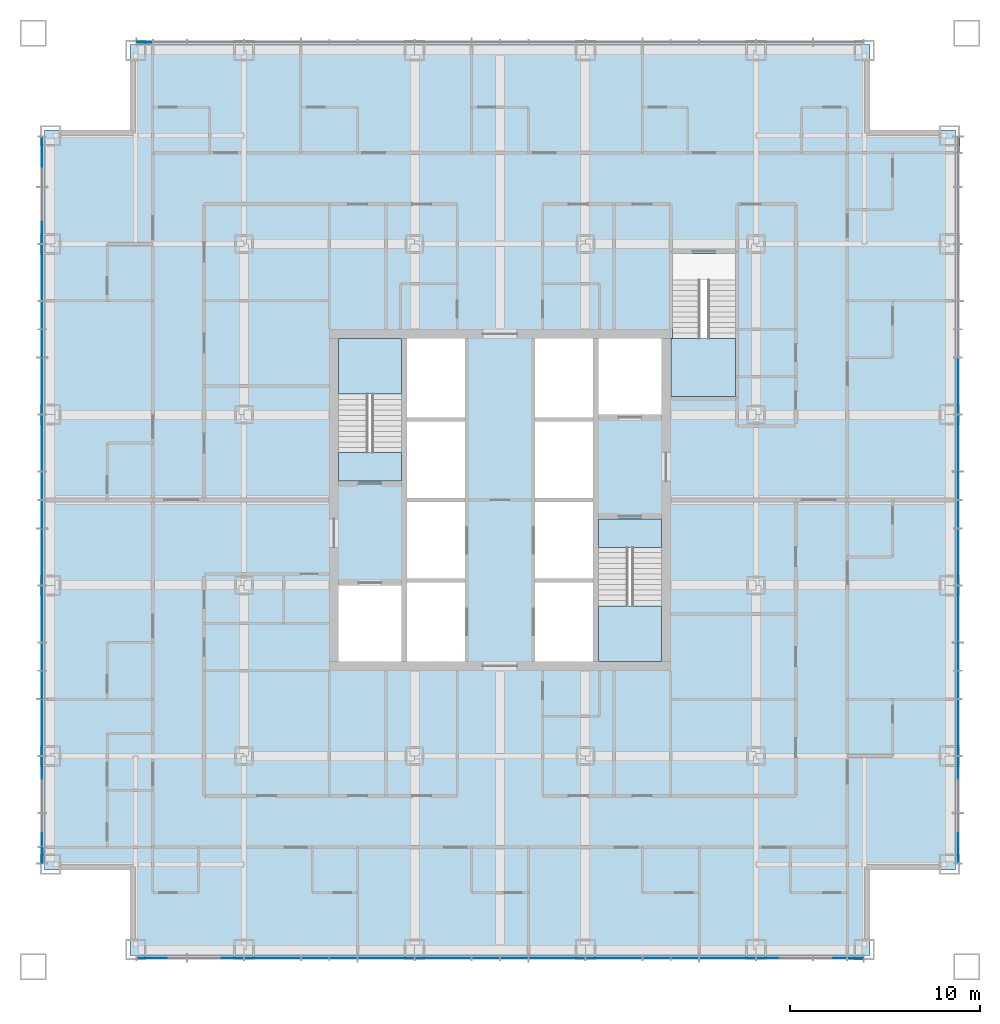
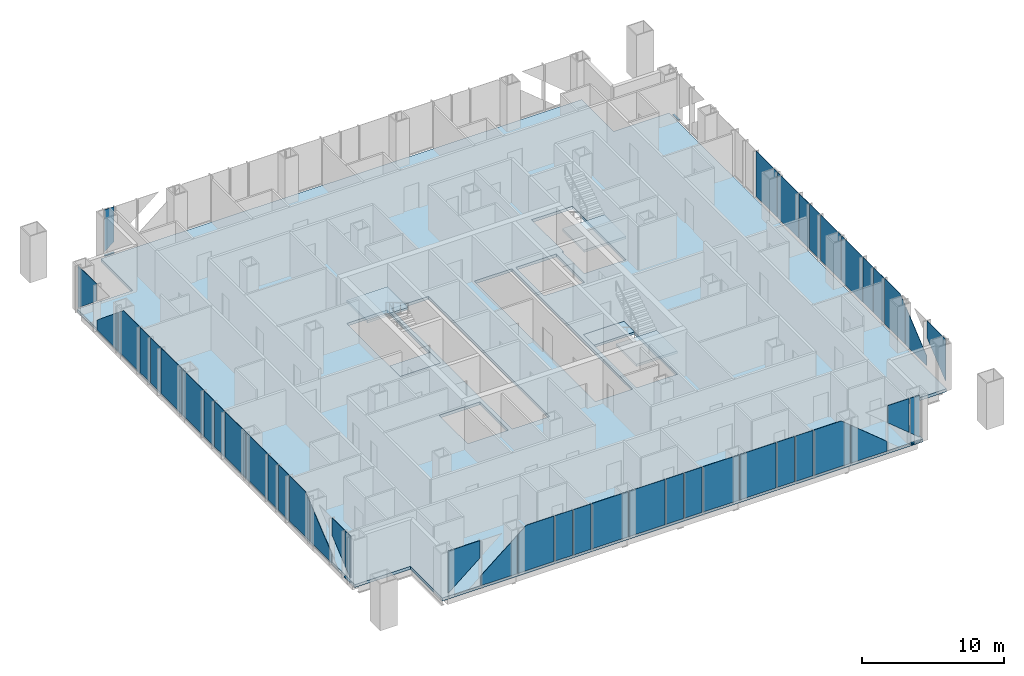
# One storey, part 7 of 13: 46 plates, 6 slabs, 4 members, 7 elements without a shape of their own.
"""IFC4 building model written with IfcOpenShell, lengths in metres."""

from ifc_helpers import new_model, si_unit, direction, frame, origin, origin_2d, place, context, subcontext, project, spatial, polyline, rectangle, outline, extrude, material, layer, layer_set, material_profile, profile_set, type_object, element, aggregate, save


model = new_model("IFC4")

# Units and contexts
model_context = context("Model", 3, precision=1e-05, world=origin(), true_north=direction((0.0, 1.0)))
body_context = subcontext(model_context, "Body", "Model", "MODEL_VIEW")
ifc_project = project(units=[si_unit("LENGTHUNIT", "METRE"), si_unit("AREAUNIT", "SQUARE_METRE"), si_unit("VOLUMEUNIT", "CUBIC_METRE"), si_unit("PLANEANGLEUNIT", "RADIAN"), si_unit("MASSUNIT", "GRAM", prefix="KILO")], contexts=[model_context])

# Site, building, storey
site_placement = place(None, origin())
site = spatial("IfcSite", under=ifc_project, at=site_placement, CompositionType="ELEMENT")
building_placement = place(site_placement, origin())
building = spatial("IfcBuilding", under=site, at=building_placement, Name="Malebo Sky Hospital", CompositionType="ELEMENT")
storey_placement = place(building_placement, frame((0.0, 0.0, 104.0)))
storey = spatial("IfcBuildingStorey", under=building, at=storey_placement, Name="L24", CompositionType="ELEMENT", Elevation=104.0)

# Curtain wall, member
ifc_material_1 = material(Name="Anodised aluminium, natural silver", Category="aluminium")
ifc_layer_1 = layer(ifc_material_1, 0.25)
ifc_layer_set_1 = layer_set([ifc_layer_1], Name="WARD CURTAIN WALL NORTH AND SOUTH")
curtain_wall_type_1 = type_object("IfcCurtainWallType", Name="WARD CURTAIN WALL NORTH AND SOUTH", PredefinedType="NOTDEFINED", material=ifc_layer_set_1)
curtain_wall_1_placement = place(storey_placement, origin())
curtain_wall_1 = element("IfcCurtainWall", 1, at=curtain_wall_1_placement, inside=storey, type_object=curtain_wall_type_1, Name="NS curtain wall N", PredefinedType="NOTDEFINED")
ifc_material_profile = material_profile(ifc_material_1, rectangle(XDim=0.14990234375, YDim=0.10009765625, at=origin_2d()), Name="ALUMINIUM TRANSOM 150x100")
ifc_profile_set = profile_set([ifc_material_profile], Name="Anodised aluminium, natural silver")
member_type = type_object("IfcMemberType", Name="ALUMINIUM TRANSOM 150x100", PredefinedType="USERDEFINED", material=ifc_profile_set)
member_1_placement = place(storey_placement, frame((40.875, 86.135009765625, 0.050048828125), z_axis=(1.0, 0.0, 0.0), x_axis=(0.0, 1.0, 0.0)))
member_1 = element("IfcMember", 2, at=member_1_placement, type_object=member_type, Name="Transom 1", ObjectType="TRANSOM", PredefinedType="USERDEFINED", context=body_context, shape_type="SweptSolid", body=[
    extrude(rectangle(XDim=0.14990234375, YDim=0.10009765625, at=origin_2d()), origin(), (0.0, 0.0, 1.0), 0.78759765625),
])

ifc_layer_2 = layer(ifc_material_1, 0.25)
ifc_layer_set_2 = layer_set([ifc_layer_2], Name="WARD CURTAIN WALL EAST AND WEST")
curtain_wall_type_2 = type_object("IfcCurtainWallType", Name="WARD CURTAIN WALL EAST AND WEST", PredefinedType="NOTDEFINED", material=ifc_layer_set_2)
curtain_wall_2_placement = place(storey_placement, origin())
curtain_wall_2 = element("IfcCurtainWall", 3, at=curtain_wall_2_placement, inside=storey, type_object=curtain_wall_type_2, Name="EW curtain wall W", PredefinedType="NOTDEFINED")
member_2_placement = place(storey_placement, frame((35.864990234375, 42.875, 0.050048828125), z_axis=(0.0, 1.0, 0.0), x_axis=(-1.0, 0.0, 0.0)))
member_2 = element("IfcMember", 4, at=member_2_placement, type_object=member_type, Name="Transom 1", ObjectType="TRANSOM", PredefinedType="USERDEFINED", context=body_context, shape_type="SweptSolid", body=[
    extrude(rectangle(XDim=0.14990234375, YDim=0.10009765625, at=origin_2d()), origin(), (0.0, 0.0, 1.0), 0.78759765625),
])

curtain_wall_3_placement = place(storey_placement, origin())
curtain_wall_3 = element("IfcCurtainWall", 5, at=curtain_wall_3_placement, inside=storey, type_object=curtain_wall_type_1, Name="NS curtain wall S", PredefinedType="NOTDEFINED")
member_3_placement = place(storey_placement, frame((79.125, 37.864990234375, 0.050048828125), z_axis=(-1.0, 0.0, 0.0), x_axis=(0.0, -1.0, 0.0)))
member_3 = element("IfcMember", 6, at=member_3_placement, type_object=member_type, Name="Transom 1", ObjectType="TRANSOM", PredefinedType="USERDEFINED", context=body_context, shape_type="SweptSolid", body=[
    extrude(rectangle(XDim=0.14990234375, YDim=0.10009765625, at=origin_2d()), origin(), (0.0, 0.0, 1.0), 0.78759765625),
])

curtain_wall_4_placement = place(storey_placement, origin())
curtain_wall_4 = element("IfcCurtainWall", 7, at=curtain_wall_4_placement, inside=storey, type_object=curtain_wall_type_2, Name="EW curtain wall E", PredefinedType="NOTDEFINED")
member_4_placement = place(storey_placement, frame((84.135009765625, 81.125, 0.050048828125), z_axis=(0.0, -1.0, 0.0), x_axis=(1.0, 0.0, 0.0)))
member_4 = element("IfcMember", 8, at=member_4_placement, type_object=member_type, Name="Transom 1", ObjectType="TRANSOM", PredefinedType="USERDEFINED", context=body_context, shape_type="SweptSolid", body=[
    extrude(rectangle(XDim=0.14990234375, YDim=0.10009765625, at=origin_2d()), origin(), (0.0, 0.0, 1.0), 0.78759765625),
])

# Slab
ifc_material_2 = material(Name="Concrete C40/50", Category="concrete")
ifc_layer_3 = layer(ifc_material_2, 0.25)
ifc_layer_set_3 = layer_set([ifc_layer_3], Name="COMPOSITE FLOOR SLAB 250")
slab_type_1 = type_object("IfcSlabType", Name="COMPOSITE FLOOR SLAB 250", PredefinedType="FLOOR", material=ifc_layer_set_3)
slab_1_placement = place(storey_placement, frame((0.0, 0.0, -0.25)))
element("IfcSlab", 9, at=slab_1_placement, inside=storey, type_object=slab_type_1, Name="Floor slab L24", PredefinedType="FLOOR", context=body_context, shape_type="SweptSolid", body=[
    extrude(outline(polyline([(40.5, 86.0), (40.5, 81.5), (36.0, 81.5), (36.0, 42.5), (40.5, 42.5), (40.5, 38.0), (79.5, 38.0), (79.5, 42.5), (84.0, 42.5), (84.0, 81.5), (79.5, 81.5), (79.5, 86.0), (40.5, 86.0)]), holes=[polyline([(55.10009765625, 70.5), (58.14990234375, 70.5), (58.14990234375, 53.5), (55.10009765625, 53.5), (55.10009765625, 70.5)]), polyline([(64.89990234375, 70.5), (64.89990234375, 53.5), (61.85009765625, 53.5), (61.85009765625, 70.5), (64.89990234375, 70.5)]), polyline([(54.800048828125, 63.0), (51.5, 63.0), (51.5, 70.5), (54.800048828125, 70.5), (54.800048828125, 63.0)]), polyline([(51.5, 53.5), (51.5, 57.5), (54.800048828125, 57.5), (54.800048828125, 53.5), (51.5, 53.5)]), polyline([(65.199951171875, 61.0), (68.5, 61.0), (68.5, 53.5), (65.199951171875, 53.5), (65.199951171875, 61.0)]), polyline([(68.5, 70.5), (68.5, 66.5), (65.199951171875, 66.5), (65.199951171875, 70.5), (68.5, 70.5)]), polyline([(69.0, 67.449951171875), (69.0, 70.52001953125), (69.10009765625, 70.52001953125), (69.10009765625, 75.0), (72.39990234375, 75.0), (72.39990234375, 67.449951171875), (69.10009765625, 67.449951171875), (69.0, 67.449951171875)])]), origin(), (0.0, 0.0, 1.0), 0.25),
])

# Stair, slabs
stair_type_1 = type_object("IfcStairType", Name="HALF-TURN STAIR 1500 R167", PredefinedType="HALF_TURN_STAIR", material=ifc_material_2)
stair_1_placement = place(storey_placement, origin())
stair_1 = element("IfcStair", 10, at=stair_1_placement, inside=storey, type_object=stair_type_1, Name="Stair S1 L24 type ST1", PredefinedType="HALF_TURN_STAIR")
ifc_layer_4 = layer(ifc_material_2, 0.199951171875)
ifc_layer_set_4 = layer_set([ifc_layer_4], Name="STAIR LANDING 200")
slab_type_2 = type_object("IfcSlabType", Name="STAIR LANDING 200", PredefinedType="LANDING", material=ifc_layer_set_4)
slab_2_placement = place(storey_placement, frame((0.0, 0.0, -0.199951171875)))
slab_2 = element("IfcSlab", 11, at=slab_2_placement, type_object=slab_type_2, Name="S1 landing 1", PredefinedType="LANDING", context=body_context, shape_type="SweptSolid", body=[
    extrude(outline(polyline([(51.5, 63.0), (54.800048828125, 63.0), (54.800048828125, 64.5), (51.5, 64.5), (51.5, 63.0)])), origin(), (0.0, 0.0, 1.0), 0.199951171875),
])
slab_3_placement = place(storey_placement, frame((0.0, 0.0, 1.800048828125)))
slab_3 = element("IfcSlab", 12, at=slab_3_placement, type_object=slab_type_2, Name="S1 landing 2", PredefinedType="LANDING", context=body_context, shape_type="SweptSolid", body=[
    extrude(outline(polyline([(51.5, 67.580078125), (54.800048828125, 67.580078125), (54.800048828125, 70.5), (51.5, 70.5), (51.5, 67.580078125)])), origin(), (0.0, 0.0, 1.0), 0.199951171875),
])
aggregate(stair_1, [slab_2, slab_3])

stair_2_placement = place(storey_placement, origin())
stair_2 = element("IfcStair", 13, at=stair_2_placement, inside=storey, type_object=stair_type_1, Name="Stair S2 L24 type ST1", PredefinedType="HALF_TURN_STAIR")
slab_4_placement = place(storey_placement, frame((0.0, 0.0, -0.199951171875)))
slab_4 = element("IfcSlab", 14, at=slab_4_placement, type_object=slab_type_2, Name="S2 landing 1", PredefinedType="LANDING", context=body_context, shape_type="SweptSolid", body=[
    extrude(outline(polyline([(65.199951171875, 59.5), (68.5, 59.5), (68.5, 61.0), (65.199951171875, 61.0), (65.199951171875, 59.5)])), origin(), (0.0, 0.0, 1.0), 0.199951171875),
])
slab_5_placement = place(storey_placement, frame((0.0, 0.0, 1.800048828125)))
slab_5 = element("IfcSlab", 15, at=slab_5_placement, type_object=slab_type_2, Name="S2 landing 2", PredefinedType="LANDING", context=body_context, shape_type="SweptSolid", body=[
    extrude(outline(polyline([(65.199951171875, 53.5), (68.5, 53.5), (68.5, 56.419921875), (65.199951171875, 56.419921875), (65.199951171875, 53.5)])), origin(), (0.0, 0.0, 1.0), 0.199951171875),
])
aggregate(stair_2, [slab_4, slab_5])

# Stair, slab
stair_type_2 = type_object("IfcStairType", Name="HALF-TURN STAIR 1400 R167", PredefinedType="HALF_TURN_STAIR", material=ifc_material_2)
stair_3_placement = place(storey_placement, origin())
stair_3 = element("IfcStair", 16, at=stair_3_placement, inside=storey, type_object=stair_type_2, Name="Stair S3 L24 type ST1B", PredefinedType="HALF_TURN_STAIR")
slab_6_placement = place(storey_placement, frame((0.0, 0.0, 1.800048828125)))
slab_6 = element("IfcSlab", 17, at=slab_6_placement, type_object=slab_type_2, Name="S3 landing 2", PredefinedType="LANDING", context=body_context, shape_type="SweptSolid", body=[
    extrude(outline(polyline([(69.0, 67.449951171875), (72.39990234375, 67.449951171875), (72.39990234375, 70.52001953125), (69.0, 70.52001953125), (69.0, 67.449951171875)])), origin(), (0.0, 0.0, 1.0), 0.199951171875),
])
aggregate(stair_3, [slab_6])

# Plate
ifc_material_3 = material(Name="Clear low-iron double glazing", Category="glass")
ifc_layer_5 = layer(ifc_material_3, 0.031982421875)
ifc_layer_set_5 = layer_set([ifc_layer_5], Name="VISION PANEL CLEAR 32")
plate_type = type_object("IfcPlateType", Name="VISION PANEL CLEAR 32", PredefinedType="CURTAIN_PANEL", material=ifc_layer_set_5)
plate_1_placement = place(storey_placement, frame((41.268798828125, 86.135009765625, 0.373046875), z_axis=(0.0, 0.0, 1.0), x_axis=(1.0, 0.0, 0.0)))
plate_1 = element("IfcPlate", 18, at=plate_1_placement, type_object=plate_type, Name="Panel 1", PredefinedType="CURTAIN_PANEL", context=body_context, shape_type="SweptSolid", body=[
    extrude(outline(polyline([(-0.393798828125, 0.0), (0.393798828125, 0.649169921875), (0.393798828125, 3.616943359375), (-0.393798828125, 3.616943359375), (-0.393798828125, 0.0)])), frame((0.0, 0.01611328125, 0.0), z_axis=(0.0, -1.0, 0.0), x_axis=(1.0, 0.0, 0.0)), (0.0, 0.0, 1.0), 0.031982421875),
])

aggregate(curtain_wall_1, [member_1, plate_1])

plate_2_placement = place(storey_placement, frame((35.864990234375, 43.268798828125, 0.373046875), z_axis=(0.0, 0.0, 1.0), x_axis=(0.0, 1.0, 0.0)))
plate_2 = element("IfcPlate", 19, at=plate_2_placement, type_object=plate_type, Name="Panel 1", PredefinedType="CURTAIN_PANEL", context=body_context, shape_type="SweptSolid", body=[
    extrude(outline(polyline([(-0.393798828125, 0.0), (0.393798828125, 0.649169921875), (0.393798828125, 3.616943359375), (-0.393798828125, 3.616943359375), (-0.393798828125, 0.0)])), frame((0.0, 0.01611328125, 0.0), z_axis=(0.0, -1.0, 0.0), x_axis=(1.0, 0.0, 0.0)), (0.0, 0.0, 1.0), 0.031982421875),
])

plate_3_placement = place(storey_placement, frame((35.864990234375, 44.60009765625, 1.083984375), z_axis=(0.0, 0.0, 1.0), x_axis=(0.0, 1.0, 0.0)))
plate_3 = element("IfcPlate", 20, at=plate_3_placement, type_object=plate_type, Name="Panel 2", PredefinedType="CURTAIN_PANEL", context=body_context, shape_type="SweptSolid", body=[
    extrude(outline(polyline([(-0.862548828125, 0.0), (0.862548828125, 1.421630859375), (0.862548828125, 2.906005859375), (-0.862548828125, 2.906005859375), (-0.862548828125, 0.0)])), frame((0.0, 0.01611328125, 0.0), z_axis=(0.0, -1.0, 0.0), x_axis=(1.0, 0.0, 0.0)), (0.0, 0.0, 1.0), 0.031982421875),
])

plate_4_placement = place(storey_placement, frame((35.864990234375, 47.0, 0.10009765625), z_axis=(0.0, 0.0, 1.0), x_axis=(0.0, 1.0, 0.0)))
plate_4 = element("IfcPlate", 21, at=plate_4_placement, type_object=plate_type, Name="Panel 3", PredefinedType="CURTAIN_PANEL", context=body_context, shape_type="SweptSolid", body=[
    extrude(outline(polyline([(-1.46240234375, 0.0), (1.46240234375, 0.0), (1.46240234375, 3.257080078125), (-1.46240234375, 0.846435546875), (-1.46240234375, 0.0)])), frame((0.0, 0.01611328125, 0.0), z_axis=(0.0, -1.0, 0.0), x_axis=(1.0, 0.0, 0.0)), (0.0, 0.0, 1.0), 0.031982421875),
])

plate_5_placement = place(storey_placement, frame((35.864990234375, 50.0, 0.10009765625), z_axis=(0.0, 0.0, 1.0), x_axis=(0.0, 1.0, 0.0)))
plate_5 = element("IfcPlate", 22, at=plate_5_placement, type_object=plate_type, Name="Panel 4", PredefinedType="CURTAIN_PANEL", context=body_context, shape_type="SweptSolid", body=[
    extrude(outline(polyline([(-1.46240234375, 0.0), (1.46240234375, 0.0), (1.46240234375, 3.889892578125), (-0.76953125, 3.889892578125), (-1.46240234375, 3.31884765625), (-1.46240234375, 0.0)])), frame((0.0, 0.01611328125, 0.0), z_axis=(0.0, -1.0, 0.0), x_axis=(1.0, 0.0, 0.0)), (0.0, 0.0, 1.0), 0.031982421875),
])

plate_6_placement = place(storey_placement, frame((35.864990234375, 52.25, 0.10009765625), z_axis=(0.0, 0.0, 1.0), x_axis=(0.0, 1.0, 0.0)))
plate_6 = element("IfcPlate", 23, at=plate_6_placement, type_object=plate_type, Name="Panel 5", PredefinedType="CURTAIN_PANEL", context=body_context, shape_type="SweptSolid", body=[
    extrude(rectangle(XDim=1.425048828125, YDim=0.031982421875, at=origin_2d()), origin(), (0.0, 0.0, 1.0), 3.889892578125),
])

plate_7_placement = place(storey_placement, frame((35.864990234375, 53.75, 0.10009765625), z_axis=(0.0, 0.0, 1.0), x_axis=(0.0, 1.0, 0.0)))
plate_7 = element("IfcPlate", 24, at=plate_7_placement, type_object=plate_type, Name="Panel 6", PredefinedType="CURTAIN_PANEL", context=body_context, shape_type="SweptSolid", body=[
    extrude(rectangle(XDim=1.425048828125, YDim=0.031982421875, at=origin_2d()), origin(), (0.0, 0.0, 1.0), 3.889892578125),
])

plate_8_placement = place(storey_placement, frame((35.864990234375, 56.0, 0.10009765625), z_axis=(0.0, 0.0, 1.0), x_axis=(0.0, 1.0, 0.0)))
plate_8 = element("IfcPlate", 25, at=plate_8_placement, type_object=plate_type, Name="Panel 7", PredefinedType="CURTAIN_PANEL", context=body_context, shape_type="SweptSolid", body=[
    extrude(rectangle(XDim=2.925048828125, YDim=0.031982421875, at=origin_2d()), origin(), (0.0, 0.0, 1.0), 3.889892578125),
])

plate_9_placement = place(storey_placement, frame((35.864990234375, 59.0, 0.10009765625), z_axis=(0.0, 0.0, 1.0), x_axis=(0.0, 1.0, 0.0)))
plate_9 = element("IfcPlate", 26, at=plate_9_placement, type_object=plate_type, Name="Panel 8", PredefinedType="CURTAIN_PANEL", context=body_context, shape_type="SweptSolid", body=[
    extrude(rectangle(XDim=2.925048828125, YDim=0.031982421875, at=origin_2d()), origin(), (0.0, 0.0, 1.0), 3.889892578125),
])

plate_10_placement = place(storey_placement, frame((35.864990234375, 61.25, 0.10009765625), z_axis=(0.0, 0.0, 1.0), x_axis=(0.0, 1.0, 0.0)))
plate_10 = element("IfcPlate", 27, at=plate_10_placement, type_object=plate_type, Name="Panel 9", PredefinedType="CURTAIN_PANEL", context=body_context, shape_type="SweptSolid", body=[
    extrude(rectangle(XDim=1.425048828125, YDim=0.031982421875, at=origin_2d()), origin(), (0.0, 0.0, 1.0), 3.889892578125),
])

plate_11_placement = place(storey_placement, frame((35.864990234375, 62.75, 0.10009765625), z_axis=(0.0, 0.0, 1.0), x_axis=(0.0, 1.0, 0.0)))
plate_11 = element("IfcPlate", 28, at=plate_11_placement, type_object=plate_type, Name="Panel 10", PredefinedType="CURTAIN_PANEL", context=body_context, shape_type="SweptSolid", body=[
    extrude(rectangle(XDim=1.425048828125, YDim=0.031982421875, at=origin_2d()), origin(), (0.0, 0.0, 1.0), 3.889892578125),
])

plate_12_placement = place(storey_placement, frame((35.864990234375, 65.0, 0.10009765625), z_axis=(0.0, 0.0, 1.0), x_axis=(0.0, 1.0, 0.0)))
plate_12 = element("IfcPlate", 29, at=plate_12_placement, type_object=plate_type, Name="Panel 11", PredefinedType="CURTAIN_PANEL", context=body_context, shape_type="SweptSolid", body=[
    extrude(rectangle(XDim=2.925048828125, YDim=0.031982421875, at=origin_2d()), origin(), (0.0, 0.0, 1.0), 3.889892578125),
])

plate_13_placement = place(storey_placement, frame((35.864990234375, 68.0, 0.10009765625), z_axis=(0.0, 0.0, 1.0), x_axis=(0.0, 1.0, 0.0)))
plate_13 = element("IfcPlate", 30, at=plate_13_placement, type_object=plate_type, Name="Panel 12", PredefinedType="CURTAIN_PANEL", context=body_context, shape_type="SweptSolid", body=[
    extrude(rectangle(XDim=2.925048828125, YDim=0.031982421875, at=origin_2d()), origin(), (0.0, 0.0, 1.0), 3.889892578125),
])

plate_14_placement = place(storey_placement, frame((35.864990234375, 70.25, 0.10009765625), z_axis=(0.0, 0.0, 1.0), x_axis=(0.0, 1.0, 0.0)))
plate_14 = element("IfcPlate", 31, at=plate_14_placement, type_object=plate_type, Name="Panel 13", PredefinedType="CURTAIN_PANEL", context=body_context, shape_type="SweptSolid", body=[
    extrude(rectangle(XDim=1.425048828125, YDim=0.031982421875, at=origin_2d()), origin(), (0.0, 0.0, 1.0), 3.889892578125),
])

plate_15_placement = place(storey_placement, frame((35.864990234375, 71.75, 0.10009765625), z_axis=(0.0, 0.0, 1.0), x_axis=(0.0, 1.0, 0.0)))
plate_15 = element("IfcPlate", 32, at=plate_15_placement, type_object=plate_type, Name="Panel 14", PredefinedType="CURTAIN_PANEL", context=body_context, shape_type="SweptSolid", body=[
    extrude(rectangle(XDim=1.425048828125, YDim=0.031982421875, at=origin_2d()), origin(), (0.0, 0.0, 1.0), 3.889892578125),
])

plate_16_placement = place(storey_placement, frame((35.864990234375, 74.0, 0.10009765625), z_axis=(0.0, 0.0, 1.0), x_axis=(0.0, 1.0, 0.0)))
plate_16 = element("IfcPlate", 33, at=plate_16_placement, type_object=plate_type, Name="Panel 15", PredefinedType="CURTAIN_PANEL", context=body_context, shape_type="SweptSolid", body=[
    extrude(outline(polyline([(-1.46240234375, 0.0), (1.46240234375, 0.0), (1.46240234375, 3.31884765625), (0.76953125, 3.889892578125), (-1.46240234375, 3.889892578125), (-1.46240234375, 0.0)])), frame((0.0, 0.01611328125, 0.0), z_axis=(0.0, -1.0, 0.0), x_axis=(1.0, 0.0, 0.0)), (0.0, 0.0, 1.0), 0.031982421875),
])

plate_17_placement = place(storey_placement, frame((35.864990234375, 77.0, 0.10009765625), z_axis=(0.0, 0.0, 1.0), x_axis=(0.0, 1.0, 0.0)))
plate_17 = element("IfcPlate", 34, at=plate_17_placement, type_object=plate_type, Name="Panel 16", PredefinedType="CURTAIN_PANEL", context=body_context, shape_type="SweptSolid", body=[
    extrude(outline(polyline([(-1.46240234375, 0.0), (1.46240234375, 0.0), (1.46240234375, 0.846435546875), (-1.46240234375, 3.257080078125), (-1.46240234375, 0.0)])), frame((0.0, 0.01611328125, 0.0), z_axis=(0.0, -1.0, 0.0), x_axis=(1.0, 0.0, 0.0)), (0.0, 0.0, 1.0), 0.031982421875),
])

plate_18_placement = place(storey_placement, frame((35.864990234375, 79.831298828125, 0.373046875), z_axis=(0.0, 0.0, 1.0), x_axis=(0.0, 1.0, 0.0)))
plate_18 = element("IfcPlate", 35, at=plate_18_placement, type_object=plate_type, Name="Panel 17", PredefinedType="CURTAIN_PANEL", context=body_context, shape_type="SweptSolid", body=[
    extrude(outline(polyline([(1.293701171875, 0.0), (1.293701171875, 3.616943359375), (-1.293701171875, 3.616943359375), (-1.293701171875, 2.132568359375), (1.293701171875, 0.0)])), frame((0.0, 0.01611328125, 0.0), z_axis=(0.0, -1.0, 0.0), x_axis=(1.0, 0.0, 0.0)), (0.0, 0.0, 1.0), 0.031982421875),
])

aggregate(curtain_wall_2, [member_2, plate_2, plate_3, plate_4, plate_5, plate_6, plate_7, plate_8, plate_9, plate_10, plate_11, plate_12, plate_13, plate_14, plate_15, plate_16, plate_17, plate_18])

plate_19_placement = place(storey_placement, frame((78.731201171875, 37.864990234375, 0.373046875), z_axis=(0.0, 0.0, 1.0), x_axis=(-1.0, 0.0, 0.0)))
plate_19 = element("IfcPlate", 36, at=plate_19_placement, type_object=plate_type, Name="Panel 1", PredefinedType="CURTAIN_PANEL", context=body_context, shape_type="SweptSolid", body=[
    extrude(outline(polyline([(-0.393798828125, 0.0), (0.393798828125, 0.649169921875), (0.393798828125, 3.616943359375), (-0.393798828125, 3.616943359375), (-0.393798828125, 0.0)])), frame((0.0, 0.01611328125, 0.0), z_axis=(0.0, -1.0, 0.0), x_axis=(1.0, 0.0, 0.0)), (0.0, 0.0, 1.0), 0.031982421875),
])

plate_20_placement = place(storey_placement, frame((77.39990234375, 37.864990234375, 1.083984375), z_axis=(0.0, 0.0, 1.0), x_axis=(-1.0, 0.0, 0.0)))
plate_20 = element("IfcPlate", 37, at=plate_20_placement, type_object=plate_type, Name="Panel 2", PredefinedType="CURTAIN_PANEL", context=body_context, shape_type="SweptSolid", body=[
    extrude(outline(polyline([(-0.862548828125, 0.0), (0.862548828125, 1.421630859375), (0.862548828125, 2.906005859375), (-0.862548828125, 2.906005859375), (-0.862548828125, 0.0)])), frame((0.0, 0.01611328125, 0.0), z_axis=(0.0, -1.0, 0.0), x_axis=(1.0, 0.0, 0.0)), (0.0, 0.0, 1.0), 0.031982421875),
])

plate_21_placement = place(storey_placement, frame((75.0, 37.864990234375, 0.10009765625), z_axis=(0.0, 0.0, 1.0), x_axis=(-1.0, 0.0, 0.0)))
plate_21 = element("IfcPlate", 38, at=plate_21_placement, type_object=plate_type, Name="Panel 3", PredefinedType="CURTAIN_PANEL", context=body_context, shape_type="SweptSolid", body=[
    extrude(outline(polyline([(-1.46240234375, 0.0), (1.46240234375, 0.0), (1.46240234375, 3.257080078125), (-1.46240234375, 0.846435546875), (-1.46240234375, 0.0)])), frame((0.0, 0.01611328125, 0.0), z_axis=(0.0, -1.0, 0.0), x_axis=(1.0, 0.0, 0.0)), (0.0, 0.0, 1.0), 0.031982421875),
])

plate_22_placement = place(storey_placement, frame((72.0, 37.864990234375, 0.10009765625), z_axis=(0.0, 0.0, 1.0), x_axis=(-1.0, 0.0, 0.0)))
plate_22 = element("IfcPlate", 39, at=plate_22_placement, type_object=plate_type, Name="Panel 4", PredefinedType="CURTAIN_PANEL", context=body_context, shape_type="SweptSolid", body=[
    extrude(outline(polyline([(-1.46240234375, 0.0), (1.46240234375, 0.0), (1.46240234375, 3.889892578125), (-0.76953125, 3.889892578125), (-1.46240234375, 3.31884765625), (-1.46240234375, 0.0)])), frame((0.0, 0.01611328125, 0.0), z_axis=(0.0, -1.0, 0.0), x_axis=(1.0, 0.0, 0.0)), (0.0, 0.0, 1.0), 0.031982421875),
])

plate_23_placement = place(storey_placement, frame((69.75, 37.864990234375, 0.10009765625), z_axis=(0.0, 0.0, 1.0), x_axis=(-1.0, 0.0, 0.0)))
plate_23 = element("IfcPlate", 40, at=plate_23_placement, type_object=plate_type, Name="Panel 5", PredefinedType="CURTAIN_PANEL", context=body_context, shape_type="SweptSolid", body=[
    extrude(rectangle(XDim=1.425048828125, YDim=0.031982421875, at=origin_2d()), origin(), (0.0, 0.0, 1.0), 3.889892578125),
])

plate_24_placement = place(storey_placement, frame((68.25, 37.864990234375, 0.10009765625), z_axis=(0.0, 0.0, 1.0), x_axis=(-1.0, 0.0, 0.0)))
plate_24 = element("IfcPlate", 41, at=plate_24_placement, type_object=plate_type, Name="Panel 6", PredefinedType="CURTAIN_PANEL", context=body_context, shape_type="SweptSolid", body=[
    extrude(rectangle(XDim=1.425048828125, YDim=0.031982421875, at=origin_2d()), origin(), (0.0, 0.0, 1.0), 3.889892578125),
])

plate_25_placement = place(storey_placement, frame((66.0, 37.864990234375, 0.10009765625), z_axis=(0.0, 0.0, 1.0), x_axis=(-1.0, 0.0, 0.0)))
plate_25 = element("IfcPlate", 42, at=plate_25_placement, type_object=plate_type, Name="Panel 7", PredefinedType="CURTAIN_PANEL", context=body_context, shape_type="SweptSolid", body=[
    extrude(rectangle(XDim=2.925048828125, YDim=0.031982421875, at=origin_2d()), origin(), (0.0, 0.0, 1.0), 3.889892578125),
])

plate_26_placement = place(storey_placement, frame((63.0, 37.864990234375, 0.10009765625), z_axis=(0.0, 0.0, 1.0), x_axis=(-1.0, 0.0, 0.0)))
plate_26 = element("IfcPlate", 43, at=plate_26_placement, type_object=plate_type, Name="Panel 8", PredefinedType="CURTAIN_PANEL", context=body_context, shape_type="SweptSolid", body=[
    extrude(rectangle(XDim=2.925048828125, YDim=0.031982421875, at=origin_2d()), origin(), (0.0, 0.0, 1.0), 3.889892578125),
])

plate_27_placement = place(storey_placement, frame((60.75, 37.864990234375, 0.10009765625), z_axis=(0.0, 0.0, 1.0), x_axis=(-1.0, 0.0, 0.0)))
plate_27 = element("IfcPlate", 44, at=plate_27_placement, type_object=plate_type, Name="Panel 9", PredefinedType="CURTAIN_PANEL", context=body_context, shape_type="SweptSolid", body=[
    extrude(rectangle(XDim=1.425048828125, YDim=0.031982421875, at=origin_2d()), origin(), (0.0, 0.0, 1.0), 3.889892578125),
])

plate_28_placement = place(storey_placement, frame((59.25, 37.864990234375, 0.10009765625), z_axis=(0.0, 0.0, 1.0), x_axis=(-1.0, 0.0, 0.0)))
plate_28 = element("IfcPlate", 45, at=plate_28_placement, type_object=plate_type, Name="Panel 10", PredefinedType="CURTAIN_PANEL", context=body_context, shape_type="SweptSolid", body=[
    extrude(rectangle(XDim=1.425048828125, YDim=0.031982421875, at=origin_2d()), origin(), (0.0, 0.0, 1.0), 3.889892578125),
])

plate_29_placement = place(storey_placement, frame((57.0, 37.864990234375, 0.10009765625), z_axis=(0.0, 0.0, 1.0), x_axis=(-1.0, 0.0, 0.0)))
plate_29 = element("IfcPlate", 46, at=plate_29_placement, type_object=plate_type, Name="Panel 11", PredefinedType="CURTAIN_PANEL", context=body_context, shape_type="SweptSolid", body=[
    extrude(rectangle(XDim=2.925048828125, YDim=0.031982421875, at=origin_2d()), origin(), (0.0, 0.0, 1.0), 3.889892578125),
])

plate_30_placement = place(storey_placement, frame((54.0, 37.864990234375, 0.10009765625), z_axis=(0.0, 0.0, 1.0), x_axis=(-1.0, 0.0, 0.0)))
plate_30 = element("IfcPlate", 47, at=plate_30_placement, type_object=plate_type, Name="Panel 12", PredefinedType="CURTAIN_PANEL", context=body_context, shape_type="SweptSolid", body=[
    extrude(rectangle(XDim=2.925048828125, YDim=0.031982421875, at=origin_2d()), origin(), (0.0, 0.0, 1.0), 3.889892578125),
])

plate_31_placement = place(storey_placement, frame((51.75, 37.864990234375, 0.10009765625), z_axis=(0.0, 0.0, 1.0), x_axis=(-1.0, 0.0, 0.0)))
plate_31 = element("IfcPlate", 48, at=plate_31_placement, type_object=plate_type, Name="Panel 13", PredefinedType="CURTAIN_PANEL", context=body_context, shape_type="SweptSolid", body=[
    extrude(rectangle(XDim=1.425048828125, YDim=0.031982421875, at=origin_2d()), origin(), (0.0, 0.0, 1.0), 3.889892578125),
])

plate_32_placement = place(storey_placement, frame((50.25, 37.864990234375, 0.10009765625), z_axis=(0.0, 0.0, 1.0), x_axis=(-1.0, 0.0, 0.0)))
plate_32 = element("IfcPlate", 49, at=plate_32_placement, type_object=plate_type, Name="Panel 14", PredefinedType="CURTAIN_PANEL", context=body_context, shape_type="SweptSolid", body=[
    extrude(rectangle(XDim=1.425048828125, YDim=0.031982421875, at=origin_2d()), origin(), (0.0, 0.0, 1.0), 3.889892578125),
])

plate_33_placement = place(storey_placement, frame((48.0, 37.864990234375, 0.10009765625), z_axis=(0.0, 0.0, 1.0), x_axis=(-1.0, 0.0, 0.0)))
plate_33 = element("IfcPlate", 50, at=plate_33_placement, type_object=plate_type, Name="Panel 15", PredefinedType="CURTAIN_PANEL", context=body_context, shape_type="SweptSolid", body=[
    extrude(outline(polyline([(-1.46240234375, 0.0), (1.46240234375, 0.0), (1.46240234375, 3.31884765625), (0.76953125, 3.889892578125), (-1.46240234375, 3.889892578125), (-1.46240234375, 0.0)])), frame((0.0, 0.01611328125, 0.0), z_axis=(0.0, -1.0, 0.0), x_axis=(1.0, 0.0, 0.0)), (0.0, 0.0, 1.0), 0.031982421875),
])

plate_34_placement = place(storey_placement, frame((45.0, 37.864990234375, 0.10009765625), z_axis=(0.0, 0.0, 1.0), x_axis=(-1.0, 0.0, 0.0)))
plate_34 = element("IfcPlate", 51, at=plate_34_placement, type_object=plate_type, Name="Panel 16", PredefinedType="CURTAIN_PANEL", context=body_context, shape_type="SweptSolid", body=[
    extrude(outline(polyline([(-1.46240234375, 0.0), (1.46240234375, 0.0), (1.46240234375, 0.846435546875), (-1.46240234375, 3.257080078125), (-1.46240234375, 0.0)])), frame((0.0, 0.01611328125, 0.0), z_axis=(0.0, -1.0, 0.0), x_axis=(1.0, 0.0, 0.0)), (0.0, 0.0, 1.0), 0.031982421875),
])

plate_35_placement = place(storey_placement, frame((42.168701171875, 37.864990234375, 0.373046875), z_axis=(0.0, 0.0, 1.0), x_axis=(-1.0, 0.0, 0.0)))
plate_35 = element("IfcPlate", 52, at=plate_35_placement, type_object=plate_type, Name="Panel 17", PredefinedType="CURTAIN_PANEL", context=body_context, shape_type="SweptSolid", body=[
    extrude(outline(polyline([(1.293701171875, 0.0), (1.293701171875, 3.616943359375), (-1.293701171875, 3.616943359375), (-1.293701171875, 2.132568359375), (1.293701171875, 0.0)])), frame((0.0, 0.01611328125, 0.0), z_axis=(0.0, -1.0, 0.0), x_axis=(1.0, 0.0, 0.0)), (0.0, 0.0, 1.0), 0.031982421875),
])

aggregate(curtain_wall_3, [member_3, plate_19, plate_20, plate_21, plate_22, plate_23, plate_24, plate_25, plate_26, plate_27, plate_28, plate_29, plate_30, plate_31, plate_32, plate_33, plate_34, plate_35])

plate_36_placement = place(storey_placement, frame((84.135009765625, 68.0, 0.10009765625), z_axis=(0.0, 0.0, 1.0), x_axis=(0.0, -1.0, 0.0)))
plate_36 = element("IfcPlate", 53, at=plate_36_placement, type_object=plate_type, Name="Panel 7", PredefinedType="CURTAIN_PANEL", context=body_context, shape_type="SweptSolid", body=[
    extrude(rectangle(XDim=2.925048828125, YDim=0.031982421875, at=origin_2d()), origin(), (0.0, 0.0, 1.0), 3.889892578125),
])

plate_37_placement = place(storey_placement, frame((84.135009765625, 65.0, 0.10009765625), z_axis=(0.0, 0.0, 1.0), x_axis=(0.0, -1.0, 0.0)))
plate_37 = element("IfcPlate", 54, at=plate_37_placement, type_object=plate_type, Name="Panel 8", PredefinedType="CURTAIN_PANEL", context=body_context, shape_type="SweptSolid", body=[
    extrude(rectangle(XDim=2.925048828125, YDim=0.031982421875, at=origin_2d()), origin(), (0.0, 0.0, 1.0), 3.889892578125),
])

plate_38_placement = place(storey_placement, frame((84.135009765625, 62.75, 0.10009765625), z_axis=(0.0, 0.0, 1.0), x_axis=(0.0, -1.0, 0.0)))
plate_38 = element("IfcPlate", 55, at=plate_38_placement, type_object=plate_type, Name="Panel 9", PredefinedType="CURTAIN_PANEL", context=body_context, shape_type="SweptSolid", body=[
    extrude(rectangle(XDim=1.425048828125, YDim=0.031982421875, at=origin_2d()), origin(), (0.0, 0.0, 1.0), 3.889892578125),
])

plate_39_placement = place(storey_placement, frame((84.135009765625, 61.25, 0.10009765625), z_axis=(0.0, 0.0, 1.0), x_axis=(0.0, -1.0, 0.0)))
plate_39 = element("IfcPlate", 56, at=plate_39_placement, type_object=plate_type, Name="Panel 10", PredefinedType="CURTAIN_PANEL", context=body_context, shape_type="SweptSolid", body=[
    extrude(rectangle(XDim=1.425048828125, YDim=0.031982421875, at=origin_2d()), origin(), (0.0, 0.0, 1.0), 3.889892578125),
])

plate_40_placement = place(storey_placement, frame((84.135009765625, 59.0, 0.10009765625), z_axis=(0.0, 0.0, 1.0), x_axis=(0.0, -1.0, 0.0)))
plate_40 = element("IfcPlate", 57, at=plate_40_placement, type_object=plate_type, Name="Panel 11", PredefinedType="CURTAIN_PANEL", context=body_context, shape_type="SweptSolid", body=[
    extrude(rectangle(XDim=2.925048828125, YDim=0.031982421875, at=origin_2d()), origin(), (0.0, 0.0, 1.0), 3.889892578125),
])

plate_41_placement = place(storey_placement, frame((84.135009765625, 56.0, 0.10009765625), z_axis=(0.0, 0.0, 1.0), x_axis=(0.0, -1.0, 0.0)))
plate_41 = element("IfcPlate", 58, at=plate_41_placement, type_object=plate_type, Name="Panel 12", PredefinedType="CURTAIN_PANEL", context=body_context, shape_type="SweptSolid", body=[
    extrude(rectangle(XDim=2.925048828125, YDim=0.031982421875, at=origin_2d()), origin(), (0.0, 0.0, 1.0), 3.889892578125),
])

plate_42_placement = place(storey_placement, frame((84.135009765625, 53.75, 0.10009765625), z_axis=(0.0, 0.0, 1.0), x_axis=(0.0, -1.0, 0.0)))
plate_42 = element("IfcPlate", 59, at=plate_42_placement, type_object=plate_type, Name="Panel 13", PredefinedType="CURTAIN_PANEL", context=body_context, shape_type="SweptSolid", body=[
    extrude(rectangle(XDim=1.425048828125, YDim=0.031982421875, at=origin_2d()), origin(), (0.0, 0.0, 1.0), 3.889892578125),
])

plate_43_placement = place(storey_placement, frame((84.135009765625, 52.25, 0.10009765625), z_axis=(0.0, 0.0, 1.0), x_axis=(0.0, -1.0, 0.0)))
plate_43 = element("IfcPlate", 60, at=plate_43_placement, type_object=plate_type, Name="Panel 14", PredefinedType="CURTAIN_PANEL", context=body_context, shape_type="SweptSolid", body=[
    extrude(rectangle(XDim=1.425048828125, YDim=0.031982421875, at=origin_2d()), origin(), (0.0, 0.0, 1.0), 3.889892578125),
])

plate_44_placement = place(storey_placement, frame((84.135009765625, 50.0, 0.10009765625), z_axis=(0.0, 0.0, 1.0), x_axis=(0.0, -1.0, 0.0)))
plate_44 = element("IfcPlate", 61, at=plate_44_placement, type_object=plate_type, Name="Panel 15", PredefinedType="CURTAIN_PANEL", context=body_context, shape_type="SweptSolid", body=[
    extrude(outline(polyline([(-1.46240234375, 0.0), (1.46240234375, 0.0), (1.46240234375, 3.31884765625), (0.76953125, 3.889892578125), (-1.46240234375, 3.889892578125), (-1.46240234375, 0.0)])), frame((0.0, 0.01611328125, 0.0), z_axis=(0.0, -1.0, 0.0), x_axis=(1.0, 0.0, 0.0)), (0.0, 0.0, 1.0), 0.031982421875),
])

plate_45_placement = place(storey_placement, frame((84.135009765625, 47.0, 0.10009765625), z_axis=(0.0, 0.0, 1.0), x_axis=(0.0, -1.0, 0.0)))
plate_45 = element("IfcPlate", 62, at=plate_45_placement, type_object=plate_type, Name="Panel 16", PredefinedType="CURTAIN_PANEL", context=body_context, shape_type="SweptSolid", body=[
    extrude(outline(polyline([(-1.46240234375, 0.0), (1.46240234375, 0.0), (1.46240234375, 0.846435546875), (-1.46240234375, 3.257080078125), (-1.46240234375, 0.0)])), frame((0.0, 0.01611328125, 0.0), z_axis=(0.0, -1.0, 0.0), x_axis=(1.0, 0.0, 0.0)), (0.0, 0.0, 1.0), 0.031982421875),
])

plate_46_placement = place(storey_placement, frame((84.135009765625, 44.168701171875, 0.373046875), z_axis=(0.0, 0.0, 1.0), x_axis=(0.0, -1.0, 0.0)))
plate_46 = element("IfcPlate", 63, at=plate_46_placement, type_object=plate_type, Name="Panel 17", PredefinedType="CURTAIN_PANEL", context=body_context, shape_type="SweptSolid", body=[
    extrude(outline(polyline([(1.293701171875, 0.0), (1.293701171875, 3.616943359375), (-1.293701171875, 3.616943359375), (-1.293701171875, 2.132568359375), (1.293701171875, 0.0)])), frame((0.0, 0.01611328125, 0.0), z_axis=(0.0, -1.0, 0.0), x_axis=(1.0, 0.0, 0.0)), (0.0, 0.0, 1.0), 0.031982421875),
])

aggregate(curtain_wall_4, [member_4, plate_36, plate_37, plate_38, plate_39, plate_40, plate_41, plate_42, plate_43, plate_44, plate_45, plate_46])

save(model, "model.ifc")
